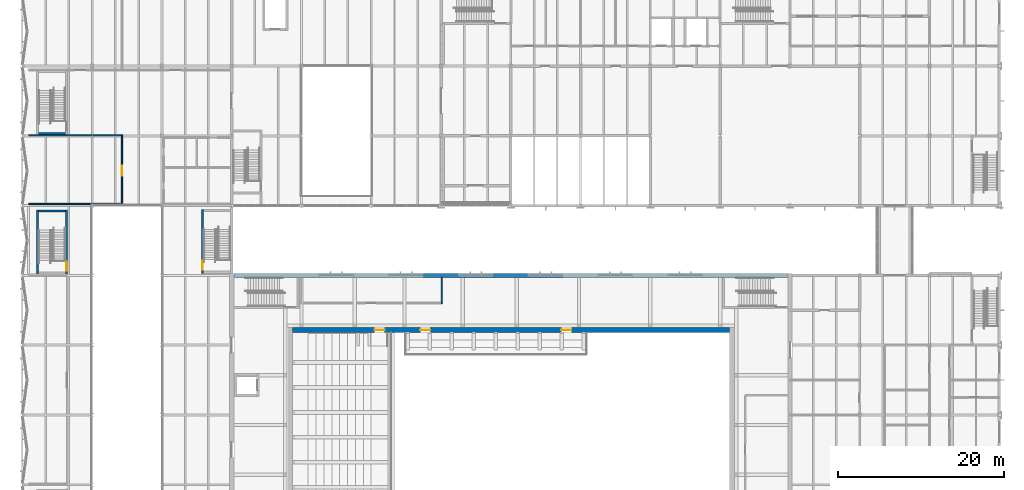
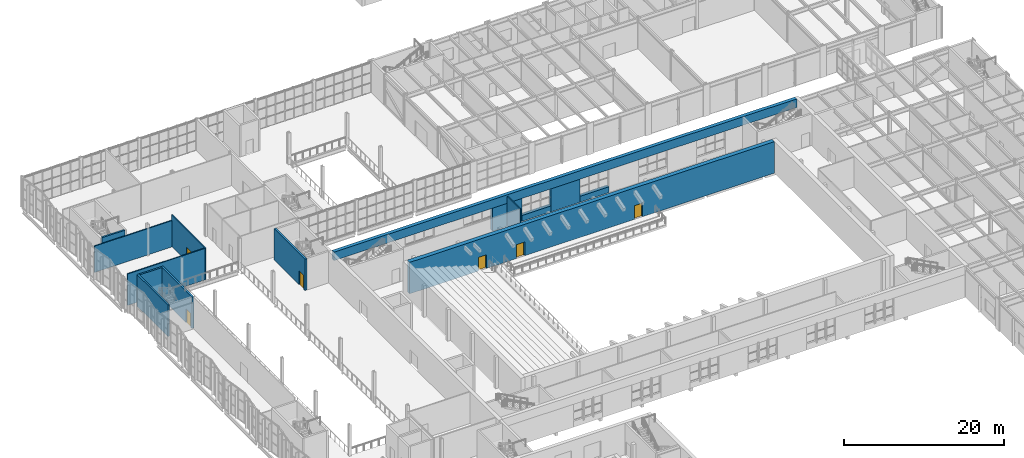
# One storey, part 78 of 127: 15 walls, 6 doors, 6 openings.
"""IFC4 building model written with IfcOpenShell, lengths in metres."""

import ifcopenshell
import ifcopenshell.guid

model = None  # the IFC model being written
_history = None  # IfcOwnerHistory: only IFC2X3 demands one
_inside = {}  # id of a spatial element -> (the spatial element, [elements in it])
_under = {}  # id of a project, library or spatial element -> (it, [spatial elements below it])
_declared = {}  # id of a project -> (the project, [libraries it declares])
_typed = {}  # id of a type object -> (the type object, [elements of that type])
_made_of = {}  # id of a material, layer set ... -> (it, [elements and type objects made of it])


def new_model(schema):
    """Start an empty IFC model of exactly this schema.

    Asked for "IFC4X3", IfcOpenShell would pick the latest addendum, in which some entities
    have other attributes; the version numbers below select the first issue.
    IFC2X3 requires an IfcOwnerHistory on every rooted entity: one is made here for all.
    """
    global model, _history
    if schema == "IFC4X3":
        model = ifcopenshell.file(schema_version=(4, 3, 0, 0))
    else:
        model = ifcopenshell.file(schema=schema)
    _inside.clear()
    _under.clear()
    _declared.clear()
    _typed.clear()
    _made_of.clear()
    _history = None
    if model.schema == "IFC2X3":
        org = make("IfcOrganization", Name="unknown")
        user = make(
            "IfcPersonAndOrganization",
            ThePerson=make("IfcPerson", FamilyName="unknown"),
            TheOrganization=org,
        )
        app = make(
            "IfcApplication",
            ApplicationDeveloper=org,
            Version="unknown",
            ApplicationFullName="unknown",
            ApplicationIdentifier="unknown",
        )
        _history = make(
            "IfcOwnerHistory",
            OwningUser=user,
            OwningApplication=app,
            ChangeAction="ADDED",
            CreationDate=0,
        )
    return model


def make(cls, **values):
    """One entity of the class cls with the attributes given. An attribute that is None is left unset."""
    return model.create_entity(
        cls, **{name: value for name, value in values.items() if value is not None}
    )


def rooted(cls, **values):
    """An entity with a GlobalId (a new one), such as an element, a storey or a relation."""
    return make(cls, GlobalId=ifcopenshell.guid.new(), OwnerHistory=_history, **values)


def si_unit(unit_type, name, prefix=None):
    """IfcSIUnit, for example si_unit("LENGTHUNIT", "METRE", prefix="MILLI")."""
    return make("IfcSIUnit", UnitType=unit_type, Prefix=prefix, Name=name)


def assignment(units):
    """IfcUnitAssignment: the units of a project."""
    return None if units is None else make("IfcUnitAssignment", Units=units)


def point(xyz):
    """IfcCartesianPoint."""
    return None if xyz is None else make("IfcCartesianPoint", Coordinates=xyz)


def direction(xyz):
    """IfcDirection."""
    return None if xyz is None else make("IfcDirection", DirectionRatios=xyz)


def frame(location, z_axis=None, x_axis=None):
    """IfcAxis2Placement3D, a coordinate frame: its origin and axes. An axis left out is left unset."""
    return make(
        "IfcAxis2Placement3D",
        Location=point(location),
        Axis=direction(z_axis),
        RefDirection=direction(x_axis),
    )


def frame_2d(location, x_axis=None):
    """IfcAxis2Placement2D, a coordinate frame in the plane: its origin and x axis."""
    return make(
        "IfcAxis2Placement2D", Location=point(location), RefDirection=direction(x_axis)
    )


def origin():
    """The frame at (0, 0, 0) with its axes left unset."""
    return frame((0.0, 0.0, 0.0))


def place(relative_to, where):
    """IfcLocalPlacement: puts the frame where relative to a parent placement (None: the world)."""
    return make(
        "IfcLocalPlacement", PlacementRelTo=relative_to, RelativePlacement=where
    )


def context(
    kind, dimensions, precision=None, world=None, true_north=None, identifier=None
):
    """IfcGeometricRepresentationContext, for example the 3D "Model" context."""
    return make(
        "IfcGeometricRepresentationContext",
        ContextIdentifier=identifier,
        ContextType=kind,
        CoordinateSpaceDimension=dimensions,
        Precision=precision,
        WorldCoordinateSystem=world,
        TrueNorth=true_north,
    )


def subcontext(parent, identifier, kind, view, scale=None):
    """IfcGeometricRepresentationSubContext, for example "Body" below "Model"."""
    return make(
        "IfcGeometricRepresentationSubContext",
        ContextIdentifier=identifier,
        ContextType=kind,
        ParentContext=parent,
        TargetScale=scale,
        TargetView=view,
    )


def project(units=None, contexts=None):
    """IfcProject with its units and contexts."""
    return rooted(
        "IfcProject",
        Name="project",
        RepresentationContexts=contexts,
        UnitsInContext=assignment(units),
    )


def spatial(cls, under=None, at=None, **own):
    """A site, building, storey or space (cls), placed at a placement, below another one or the project."""
    s = rooted(cls, ObjectPlacement=at, **own)
    if under is not None:
        _under.setdefault(under.id(), (under, []))[1].append(s)
    return s


def profile(cls, at=None, kind="AREA", **sizes):
    """A parametric profile (cls). Its sizes go by their IFC names, for example OverallWidth=200.0."""
    return make(cls, ProfileType=kind, Position=at, **sizes)


def rectangle(**sizes):
    """IfcRectangleProfileDef."""
    return profile("IfcRectangleProfileDef", **sizes)


def extrude(swept, where, along, depth):
    """IfcExtrudedAreaSolid: the profile swept, set in the frame where, extruded along a direction by depth."""
    return make(
        "IfcExtrudedAreaSolid",
        SweptArea=swept,
        Position=where,
        ExtrudedDirection=direction(along),
        Depth=depth,
    )


def shape(context_of_items, identifier, shape_type, items):
    """IfcShapeRepresentation: the items that make up one representation, for example the "Body"."""
    return make(
        "IfcShapeRepresentation",
        ContextOfItems=context_of_items,
        RepresentationIdentifier=identifier,
        RepresentationType=shape_type,
        Items=items,
    )


def material(Name=None, Category=None):
    """IfcMaterial."""
    return make("IfcMaterial", Name=Name, Category=Category)


def layer(
    of_material, thickness, ventilated=None, Name=None, Category=None, Priority=None
):
    """IfcMaterialLayer: one layer of a wall or slab, of a material (None: an air gap)."""
    return make(
        "IfcMaterialLayer",
        Material=of_material,
        LayerThickness=thickness,
        IsVentilated=ventilated,
        Name=Name,
        Category=Category,
        Priority=Priority,
    )


def layer_set(layers, Name=None):
    """IfcMaterialLayerSet."""
    return make("IfcMaterialLayerSet", MaterialLayers=layers, LayerSetName=Name)


def made_of(thing, what):
    """Note that an element or type object is made of a material, layer set ...; save() writes the relation."""
    if what is not None:
        _made_of.setdefault(what.id(), (what, []))[1].append(thing)
    return thing


def type_object(cls, material=None, **own):
    """A type object (cls), such as IfcWallType, which elements share."""
    return made_of(rooted(cls, **own), material)


def element(
    cls,
    number,
    at=None,
    inside=None,
    cuts=None,
    type_object=None,
    material=None,
    context=None,
    identifier="Body",
    shape_type=None,
    held_by="IfcProductDefinitionShape",
    body=None,
    shapes=None,
    **own,
):
    """One element of the class cls, such as IfcWall. Its Tag is "e" and its number.

    at: its placement. inside: the storey or other place that contains it. cuts: it is an
    opening in that element (IfcRelVoidsElement). A single representation is given by context,
    identifier, shape_type and body (its items); several are given by shapes. held_by: the class
    of the entity that holds the representations. save() writes the other relations.
    """
    e = rooted(cls, Tag="e%d" % number, ObjectPlacement=at, **own)
    if body is not None:
        shapes = [shape(context, identifier, shape_type, body)]
    if shapes is not None:
        e.Representation = make(held_by, Representations=shapes)
    if inside is not None:
        _inside.setdefault(inside.id(), (inside, []))[1].append(e)
    if cuts is not None:
        rooted(
            "IfcRelVoidsElement", RelatingBuildingElement=cuts, RelatedOpeningElement=e
        )
    if type_object is not None:
        _typed.setdefault(type_object.id(), (type_object, []))[1].append(e)
    return made_of(e, material)


def fill(opening, filler):
    """IfcRelFillsElement: the door or window that sits in an opening."""
    return rooted(
        "IfcRelFillsElement",
        RelatingOpeningElement=opening,
        RelatedBuildingElement=filler,
    )


def aggregate(whole, parts):
    """IfcRelAggregates: a whole, such as a stair, and the parts it consists of."""
    return rooted("IfcRelAggregates", RelatingObject=whole, RelatedObjects=parts)


def save(model, path):
    """Write the relations noted so far, then the file.

    IfcRelAggregates (storeys below a building ...), IfcRelContainedInSpatialStructure (elements
    in a storey), IfcRelDefinesByType, IfcRelAssociatesMaterial and IfcRelDeclares: one each for
    every whole, place, type object, material and project.
    """
    for whole, parts in _under.values():
        aggregate(whole, parts)
    for where, things in _inside.values():
        rooted(
            "IfcRelContainedInSpatialStructure",
            RelatedElements=things,
            RelatingStructure=where,
        )
    for kind, things in _typed.values():
        rooted("IfcRelDefinesByType", RelatedObjects=things, RelatingType=kind)
    for what, things in _made_of.values():
        rooted("IfcRelAssociatesMaterial", RelatedObjects=things, RelatingMaterial=what)
    for by, libraries in _declared.values():
        rooted("IfcRelDeclares", RelatingContext=by, RelatedDefinitions=libraries)
    model.write(path)


model = new_model("IFC4")

# Units and contexts
model_context = context("Model", 3, precision=1e-05, world=origin(), true_north=direction((0.0, 1.0)))
body_context = subcontext(model_context, "Body", "Model", "MODEL_VIEW")
ifc_project = project(units=[si_unit("LENGTHUNIT", "METRE"), si_unit("AREAUNIT", "SQUARE_METRE"), si_unit("VOLUMEUNIT", "CUBIC_METRE"), si_unit("PLANEANGLEUNIT", "RADIAN"), si_unit("MASSUNIT", "GRAM", prefix="KILO")], contexts=[model_context])

# Site, building, storey
site_placement = place(None, origin())
site = spatial("IfcSite", under=ifc_project, at=site_placement, CompositionType="ELEMENT")
building_placement = place(site_placement, origin())
building = spatial("IfcBuilding", under=site, at=building_placement, Name="Ljudholm Concert House", CompositionType="ELEMENT")
storey_placement = place(building_placement, frame((0.0, 0.0, 5.39990234375)))
storey = spatial("IfcBuildingStorey", under=building, at=storey_placement, Name="L01", CompositionType="ELEMENT", Elevation=5.39990234375)

# Wall
ifc_material_1 = material(Name="Gypsum board on steel studs", Category="steel")
ifc_layer_1 = layer(ifc_material_1, 0.14990234375)
ifc_layer_set_1 = layer_set([ifc_layer_1], Name="Gypsum board on steel studs")
wall_type_1 = type_object("IfcWallType", Name="GYPSUM PARTITION 150", PredefinedType="PARTITIONING", material=ifc_layer_set_1)
wall_1_placement = place(storey_placement, frame((54.47509765625, 93.0, 0.0), z_axis=(0.0, 0.0, 1.0), x_axis=(0.0, 1.0, 0.0)))
element("IfcWall", 1, at=wall_1_placement, inside=storey, type_object=wall_type_1, Name="Hall Bar partition", PredefinedType="PARTITIONING", context=body_context, shape_type="SweptSolid", body=[
    extrude(rectangle(XDim=3.14990234375, YDim=0.14990234375, at=frame_2d((1.574951171875, 0.0))), origin(), (0.0, 0.0, 1.0), 4.550048828125),
])

# Wall, opening, door
wall_2_placement = place(storey_placement, frame((16.0, 104.925048828125, 0.0), z_axis=(0.0, 0.0, 1.0), x_axis=(0.0, 1.0, 0.0)))
wall_2 = element("IfcWall", 2, at=wall_2_placement, inside=storey, type_object=wall_type_1, Name="Room wall", PredefinedType="PARTITIONING", context=body_context, shape_type="SweptSolid", body=[
    extrude(rectangle(XDim=8.425048828125, YDim=0.14990234375, at=frame_2d((4.21240234375, 0.0))), origin(), (0.0, 0.0, 1.0), 4.800048828125),
])
opening_1_placement = place(wall_2_placement, frame((3.47509765625, 0.0, 0.0)))
opening_1 = element("IfcOpeningElement", 3, at=opening_1_placement, cuts=wall_2, Name="Opening D-S01-013", PredefinedType="OPENING", context=body_context, shape_type="SweptSolid", body=[
    extrude(rectangle(XDim=1.199951171875, YDim=2.10009765625, at=frame_2d((0.60009765625, 1.050048828125))), frame((0.0, 0.0849609375, 0.0), z_axis=(0.0, -1.0, 0.0), x_axis=(1.0, 0.0, 0.0)), (0.0, 0.0, 1.0), 0.169921875),
])
ifc_material_2 = material(Name="Hollow metal door in steel frame", Category="steel")
door_type_1 = type_object("IfcDoorType", Name="SWING DOOR 1200x2100", OperationType="SINGLE_SWING_LEFT", PredefinedType="DOOR", material=ifc_material_2)
door_1_placement = place(opening_1_placement, origin())
door_1 = element("IfcDoor", 4, at=door_1_placement, inside=storey, type_object=door_type_1, Name="Education Room door", OperationType="SINGLE_SWING_RIGHT", OverallHeight=2.10009765625, OverallWidth=1.199951171875, PredefinedType="DOOR", context=body_context, shape_type="SweptSolid", body=[
    extrude(rectangle(XDim=1.199951171875, YDim=2.10009765625, at=frame_2d((0.60009765625, 1.050048828125))), frame((0.0, 0.02490234375, 0.0), z_axis=(0.0, -1.0, 0.0), x_axis=(1.0, 0.0, 0.0)), (0.0, 0.0, 1.0), 0.050048828125),
])
fill(opening_1, door_1)

# Walls
wall_3_placement = place(storey_placement, frame((4.75, 105.0, 0.0), z_axis=(0.0, 0.0, 1.0), x_axis=(1.0, 0.0, 0.0)))
element("IfcWall", 5, at=wall_3_placement, inside=storey, type_object=wall_type_1, Name="Room wall", PredefinedType="PARTITIONING", context=body_context, shape_type="SweptSolid", body=[
    extrude(rectangle(XDim=11.175048828125, YDim=0.14990234375, at=frame_2d((5.58740234375, 0.0))), origin(), (0.0, 0.0, 1.0), 4.800048828125),
])
wall_4_placement = place(storey_placement, frame((4.75, 113.27490234375, 0.0), z_axis=(0.0, 0.0, 1.0), x_axis=(1.0, 0.0, 0.0)))
element("IfcWall", 6, at=wall_4_placement, inside=storey, type_object=wall_type_1, Name="Room wall", PredefinedType="PARTITIONING", context=body_context, shape_type="SweptSolid", body=[
    extrude(rectangle(XDim=11.175048828125, YDim=0.14990234375, at=frame_2d((5.58740234375, 0.0))), origin(), (0.0, 0.0, 1.0), 4.008056640625),
])

# Wall, opening, door
ifc_material_3 = material(Name="Concrete 6,500 psi", Category="concrete")
ifc_layer_2 = layer(ifc_material_3, 0.25)
ifc_layer_set_2 = layer_set([ifc_layer_2], Name="Concrete 6,500 psi")
wall_type_2 = type_object("IfcWallType", Name="RC CORE WALL 250", PredefinedType="SHEAR", material=ifc_layer_set_2)
wall_5_placement = place(storey_placement, frame((25.675048828125, 96.64990234375, 0.0), z_axis=(0.0, 0.0, 1.0), x_axis=(0.0, 1.0, 0.0)))
wall_5 = element("IfcWall", 7, at=wall_5_placement, inside=storey, type_object=wall_type_2, Name="Stair enclosure wall", PredefinedType="SHEAR", context=body_context, shape_type="SweptSolid", body=[
    extrude(rectangle(XDim=7.7001953125, YDim=0.25, at=frame_2d((3.85009765625, 0.0))), origin(), (0.0, 0.0, 1.0), 4.800048828125),
])
opening_2_placement = place(wall_5_placement, frame((0.39990234375, 0.0, 0.0)))
opening_2 = element("IfcOpeningElement", 8, at=opening_2_placement, cuts=wall_5, Name="Opening D-S01-004", PredefinedType="OPENING", context=body_context, shape_type="SweptSolid", body=[
    extrude(rectangle(XDim=1.10009765625, YDim=2.10009765625, at=frame_2d((0.550048828125, 1.050048828125))), frame((0.0, 0.135009765625, 0.0), z_axis=(0.0, -1.0, 0.0), x_axis=(1.0, 0.0, 0.0)), (0.0, 0.0, 1.0), 0.27001953125),
])
ifc_material_4 = material(Name="Hollow metal door in steel frame", Category="steel")
door_type_2 = type_object("IfcDoorType", Name="SWING DOOR 1100x2100", OperationType="SINGLE_SWING_LEFT", PredefinedType="DOOR", material=ifc_material_4)
door_2_placement = place(opening_2_placement, frame((1.10009765625, 0.0, 0.0), z_axis=(0.0, 0.0, 1.0), x_axis=(-1.0, 0.0, 0.0)))
door_2 = element("IfcDoor", 9, at=door_2_placement, inside=storey, type_object=door_type_2, Name="Stair door", OperationType="SINGLE_SWING_RIGHT", OverallHeight=2.10009765625, OverallWidth=1.10009765625, PredefinedType="DOOR", context=body_context, shape_type="SweptSolid", body=[
    extrude(rectangle(XDim=1.10009765625, YDim=2.10009765625, at=frame_2d((0.550048828125, 1.050048828125))), frame((0.0, 0.02490234375, 0.0), z_axis=(0.0, -1.0, 0.0), x_axis=(1.0, 0.0, 0.0)), (0.0, 0.0, 1.0), 0.050048828125),
])
fill(opening_2, door_2)

# Wall
wall_6_placement = place(storey_placement, frame((5.824951171875, 96.550048828125, 0.0), z_axis=(0.0, 0.0, 1.0), x_axis=(0.0, 1.0, 0.0)))
element("IfcWall", 10, at=wall_6_placement, inside=storey, type_object=wall_type_2, Name="Stair enclosure wall", PredefinedType="SHEAR", context=body_context, shape_type="SweptSolid", body=[
    extrude(rectangle(XDim=7.699951171875, YDim=0.25, at=frame_2d((3.85009765625, 0.0))), origin(), (0.0, 0.0, 1.0), 4.800048828125),
])

# Wall, opening, door
wall_7_placement = place(storey_placement, frame((9.324951171875, 96.550048828125, 0.0), z_axis=(0.0, 0.0, 1.0), x_axis=(0.0, 1.0, 0.0)))
wall_7 = element("IfcWall", 11, at=wall_7_placement, inside=storey, type_object=wall_type_2, Name="Stair enclosure wall", PredefinedType="SHEAR", context=body_context, shape_type="SweptSolid", body=[
    extrude(rectangle(XDim=7.699951171875, YDim=0.25, at=frame_2d((3.85009765625, 0.0))), origin(), (0.0, 0.0, 1.0), 4.800048828125),
])
opening_3_placement = place(wall_7_placement, frame((0.39990234375, 0.0, 0.0)))
opening_3 = element("IfcOpeningElement", 12, at=opening_3_placement, cuts=wall_7, Name="Opening D-S01-006", PredefinedType="OPENING", context=body_context, shape_type="SweptSolid", body=[
    extrude(rectangle(XDim=1.10009765625, YDim=2.10009765625, at=frame_2d((0.550048828125, 1.050048828125))), frame((0.0, 0.135009765625, 0.0), z_axis=(0.0, -1.0, 0.0), x_axis=(1.0, 0.0, 0.0)), (0.0, 0.0, 1.0), 0.27001953125),
])
door_3_placement = place(opening_3_placement, origin())
door_3 = element("IfcDoor", 13, at=door_3_placement, inside=storey, type_object=door_type_2, Name="Stair door", OperationType="SINGLE_SWING_LEFT", OverallHeight=2.10009765625, OverallWidth=1.10009765625, PredefinedType="DOOR", context=body_context, shape_type="SweptSolid", body=[
    extrude(rectangle(XDim=1.10009765625, YDim=2.10009765625, at=frame_2d((0.550048828125, 1.050048828125))), frame((0.0, 0.02490234375, 0.0), z_axis=(0.0, -1.0, 0.0), x_axis=(1.0, 0.0, 0.0)), (0.0, 0.0, 1.0), 0.050048828125),
])
fill(opening_3, door_3)

# Walls
for number, where, z_axis, x_axis, name in (
    (14, (5.949951171875, 104.125, 0.0), (0.0, 0.0, 1.0), (1.0, 0.0, 0.0), "Stair enclosure wall"),
    (15, (5.949951171875, 113.47509765625, 0.0), (0.0, 0.0, 1.0), (1.0, 0.0, 0.0), "Stair enclosure wall"),
):
    element("IfcWall", number, at=place(storey_placement, frame(where, z_axis=z_axis, x_axis=x_axis)), inside=storey, type_object=wall_type_2, Name=name, PredefinedType="SHEAR", context=body_context, shape_type="SweptSolid", body=[
        extrude(rectangle(XDim=3.25, YDim=0.25, at=frame_2d((1.625, 0.0))), origin(), (0.0, 0.0, 1.0), 4.800048828125),
    ])
ifc_material_5 = material(Name="Concrete 6,500 psi", Category="concrete")
ifc_layer_3 = layer(ifc_material_5, 0.5)
ifc_layer_set_3 = layer_set([ifc_layer_3], Name="Concrete 6,500 psi")
wall_type_3 = type_object("IfcWallType", Name="RC WALL 500", PredefinedType="SOLIDWALL", material=ifc_layer_set_3)
for number, where, z_axis, x_axis, name in (
    (16, (52.300048828125, 96.39990234375, 0.0), (0.0, 0.0, 1.0), (1.0, 0.0, 0.0), "Outer wall N"),
    (17, (60.699951171875, 96.39990234375, 0.0), (0.0, 0.0, 1.0), (1.0, 0.0, 0.0), "Outer wall N"),
):
    element("IfcWall", number, at=place(storey_placement, frame(where, z_axis=z_axis, x_axis=x_axis)), inside=storey, type_object=wall_type_3, Name=name, PredefinedType="SOLIDWALL", context=body_context, shape_type="SweptSolid", body=[
        extrude(rectangle(XDim=4.199951171875, YDim=0.5, at=frame_2d((2.10009765625, 0.0))), origin(), (0.0, 0.0, 1.0), 3.5),
    ])
wall_8_placement = place(storey_placement, frame((56.5, 96.39990234375, 0.0), z_axis=(0.0, 0.0, 1.0), x_axis=(1.0, 0.0, 0.0)))
element("IfcWall", 18, at=wall_8_placement, inside=storey, type_object=wall_type_3, Name="Outer wall N", PredefinedType="SOLIDWALL", context=body_context, shape_type="SweptSolid", body=[
    extrude(rectangle(XDim=4.199951171875, YDim=0.5, at=frame_2d((2.10009765625, 0.0))), origin(), (0.0, 0.0, 1.0), 0.900146484375),
])
wall_9_placement = place(storey_placement, frame((64.89990234375, 96.39990234375, 0.0), z_axis=(0.0, 0.0, 1.0), x_axis=(1.0, 0.0, 0.0)))
element("IfcWall", 19, at=wall_9_placement, inside=storey, type_object=wall_type_3, Name="Outer wall N", PredefinedType="SOLIDWALL", context=body_context, shape_type="SweptSolid", body=[
    extrude(rectangle(XDim=4.2001953125, YDim=0.5, at=frame_2d((2.10009765625, 0.0))), origin(), (0.0, 0.0, 1.0), 0.900146484375),
])
wall_10_placement = place(storey_placement, frame((29.449951171875, 96.39990234375, 3.5), z_axis=(0.0, 0.0, 1.0), x_axis=(1.0, 0.0, 0.0)))
element("IfcWall", 20, at=wall_10_placement, inside=storey, type_object=wall_type_3, Name="Outer wall N", PredefinedType="SOLIDWALL", context=body_context, shape_type="SweptSolid", body=[
    extrude(rectangle(XDim=66.699951171875, YDim=0.5, at=frame_2d((33.35009765625, 0.0))), origin(), (0.0, 0.0, 1.0), 1.300048828125),
])

# Wall, openings, doors
ifc_material_6 = material(Name="Concrete 6,500 psi", Category="concrete")
ifc_layer_4 = layer(ifc_material_6, 0.60009765625)
ifc_layer_set_4 = layer_set([ifc_layer_4], Name="Concrete 6,500 psi")
wall_type_4 = type_object("IfcWallType", Name="RC WALL 600", PredefinedType="SOLIDWALL", material=ifc_layer_set_4)
wall_11_placement = place(storey_placement, frame((36.5, 89.800048828125, 0.0), z_axis=(0.0, 0.0, 1.0), x_axis=(1.0, 0.0, 0.0)))
wall_11 = element("IfcWall", 21, at=wall_11_placement, inside=storey, type_object=wall_type_4, Name="Inner box wall N", PredefinedType="SOLIDWALL", context=body_context, shape_type="SweptSolid", body=[
    extrude(rectangle(XDim=52.60009765625, YDim=0.60009765625, at=frame_2d((26.300048828125, 0.0))), origin(), (0.0, 0.0, 1.0), 4.800048828125),
])
opening_4_placement = place(wall_11_placement, frame((9.89990234375, 0.0, 0.0)))
opening_4 = element("IfcOpeningElement", 22, at=opening_4_placement, cuts=wall_11, Name="Opening D-H01-021", PredefinedType="OPENING", context=body_context, shape_type="SweptSolid", body=[
    extrude(rectangle(XDim=1.199951171875, YDim=2.10009765625, at=frame_2d((0.60009765625, 1.050048828125))), frame((0.0, 0.31005859375, 0.0), z_axis=(0.0, -1.0, 0.0), x_axis=(1.0, 0.0, 0.0)), (0.0, 0.0, 1.0), 0.6201171875),
])
opening_5_placement = place(wall_11_placement, frame((15.39990234375, 0.0, 0.0)))
opening_5 = element("IfcOpeningElement", 23, at=opening_5_placement, cuts=wall_11, Name="Opening D-H01-022", PredefinedType="OPENING", context=body_context, shape_type="SweptSolid", body=[
    extrude(rectangle(XDim=1.199951171875, YDim=2.10009765625, at=frame_2d((0.60009765625, 1.050048828125))), frame((0.0, 0.31005859375, 0.0), z_axis=(0.0, -1.0, 0.0), x_axis=(1.0, 0.0, 0.0)), (0.0, 0.0, 1.0), 0.6201171875),
])
opening_6_placement = place(wall_11_placement, frame((32.39990234375, 0.0, 0.0)))
opening_6 = element("IfcOpeningElement", 24, at=opening_6_placement, cuts=wall_11, Name="Opening D-H01-023", PredefinedType="OPENING", context=body_context, shape_type="SweptSolid", body=[
    extrude(rectangle(XDim=1.199951171875, YDim=2.10009765625, at=frame_2d((0.60009765625, 1.050048828125))), frame((0.0, 0.31005859375, 0.0), z_axis=(0.0, -1.0, 0.0), x_axis=(1.0, 0.0, 0.0)), (0.0, 0.0, 1.0), 0.6201171875),
])
door_4_placement = place(opening_4_placement, frame((1.199951171875, 0.0, 0.0), z_axis=(0.0, 0.0, 1.0), x_axis=(-1.0, 0.0, 0.0)))
door_4 = element("IfcDoor", 25, at=door_4_placement, inside=storey, type_object=door_type_1, Name="Hall door", OperationType="SINGLE_SWING_LEFT", OverallHeight=2.10009765625, OverallWidth=1.199951171875, PredefinedType="DOOR", context=body_context, shape_type="SweptSolid", body=[
    extrude(rectangle(XDim=1.199951171875, YDim=2.10009765625, at=frame_2d((0.60009765625, 1.050048828125))), frame((0.0, 0.02490234375, 0.0), z_axis=(0.0, -1.0, 0.0), x_axis=(1.0, 0.0, 0.0)), (0.0, 0.0, 1.0), 0.050048828125),
])
fill(opening_4, door_4)
door_5_placement = place(opening_5_placement, frame((1.199951171875, 0.0, 0.0), z_axis=(0.0, 0.0, 1.0), x_axis=(-1.0, 0.0, 0.0)))
door_5 = element("IfcDoor", 26, at=door_5_placement, inside=storey, type_object=door_type_1, Name="Hall door", OperationType="SINGLE_SWING_RIGHT", OverallHeight=2.10009765625, OverallWidth=1.199951171875, PredefinedType="DOOR", context=body_context, shape_type="SweptSolid", body=[
    extrude(rectangle(XDim=1.199951171875, YDim=2.10009765625, at=frame_2d((0.60009765625, 1.050048828125))), frame((0.0, 0.02490234375, 0.0), z_axis=(0.0, -1.0, 0.0), x_axis=(1.0, 0.0, 0.0)), (0.0, 0.0, 1.0), 0.050048828125),
])
fill(opening_5, door_5)
door_6_placement = place(opening_6_placement, frame((1.199951171875, 0.0, 0.0), z_axis=(0.0, 0.0, 1.0), x_axis=(-1.0, 0.0, 0.0)))
door_6 = element("IfcDoor", 27, at=door_6_placement, inside=storey, type_object=door_type_1, Name="Hall door", OperationType="SINGLE_SWING_LEFT", OverallHeight=2.10009765625, OverallWidth=1.199951171875, PredefinedType="DOOR", context=body_context, shape_type="SweptSolid", body=[
    extrude(rectangle(XDim=1.199951171875, YDim=2.10009765625, at=frame_2d((0.60009765625, 1.050048828125))), frame((0.0, 0.02490234375, 0.0), z_axis=(0.0, -1.0, 0.0), x_axis=(1.0, 0.0, 0.0)), (0.0, 0.0, 1.0), 0.050048828125),
])
fill(opening_6, door_6)

save(model, "model.ifc")
